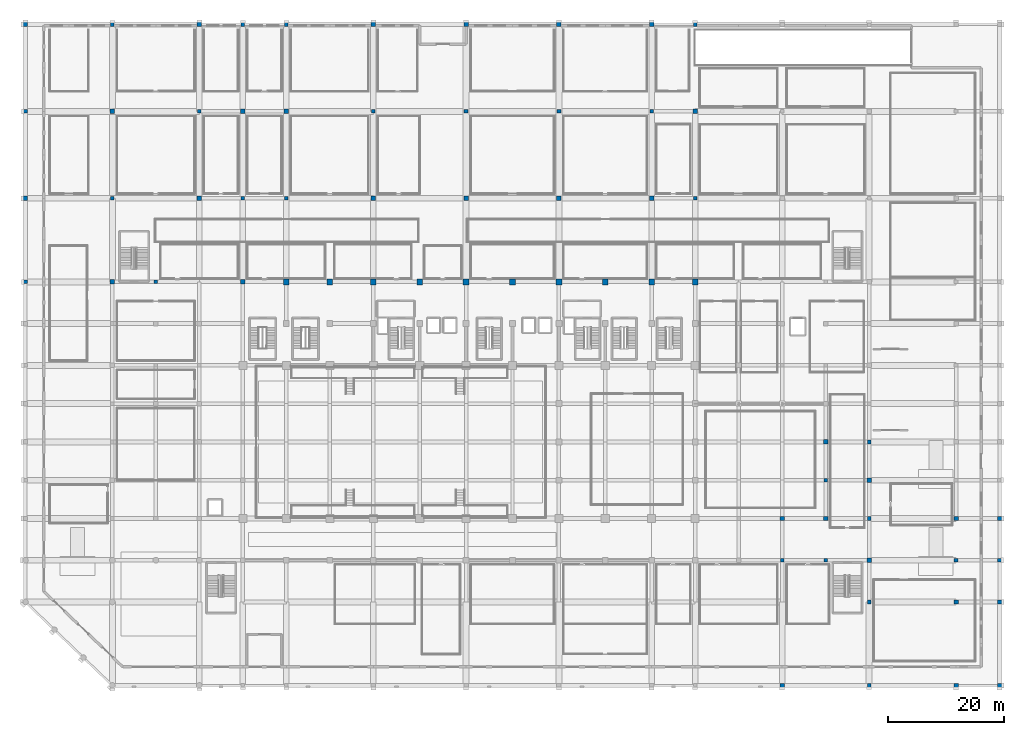
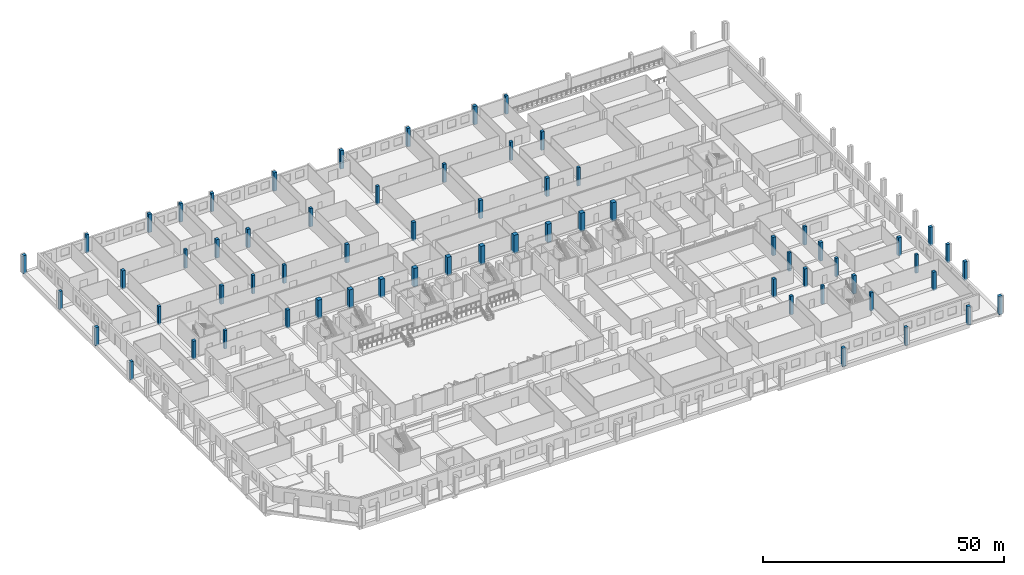
# One storey, part 3 of 33: 65 columns.
"""IFC4 building model written with IfcOpenShell, lengths in metres."""

from ifc_helpers import new_model, si_unit, direction, frame, origin, origin_2d, place, context, subcontext, project, spatial, rectangle, extrude, material, material_profile, profile_set, type_object, element, save


model = new_model("IFC4")

# Units and contexts
model_context = context("Model", 3, precision=1e-05, world=origin(), true_north=direction((0.0, 1.0)))
body_context = subcontext(model_context, "Body", "Model", "MODEL_VIEW")
ifc_project = project(units=[si_unit("LENGTHUNIT", "METRE"), si_unit("AREAUNIT", "SQUARE_METRE"), si_unit("VOLUMEUNIT", "CUBIC_METRE"), si_unit("PLANEANGLEUNIT", "RADIAN"), si_unit("MASSUNIT", "GRAM", prefix="KILO")], contexts=[model_context])

# Site, building, storey
site_placement = place(None, origin())
site = spatial("IfcSite", under=ifc_project, at=site_placement, CompositionType="ELEMENT")
building_placement = place(site_placement, origin())
building = spatial("IfcBuilding", under=site, at=building_placement, Name="Akrevak Sports Hall", CompositionType="ELEMENT")
storey_placement = place(building_placement, origin())
storey = spatial("IfcBuildingStorey", under=building, at=storey_placement, Name="L00", CompositionType="ELEMENT", Elevation=0.0)

# Columns
ifc_material_1 = material(Name="Concrete C50/60", Category="concrete")
ifc_material_profile_1 = material_profile(ifc_material_1, rectangle(XDim=1.0, YDim=1.0, at=origin_2d()), Name="RC 1000x1000", Category="concrete")
ifc_profile_set_1 = profile_set([ifc_material_profile_1], Name="Concrete C50/60")
column_type_1 = type_object("IfcColumnType", Name="STR-COL-RC1000", PredefinedType="COLUMN", material=ifc_profile_set_1)
for number, where, z_axis, x_axis, name in (
    (1, (45.0, 69.60009765625, -0.35009765625), (0.0, 0.0, 1.0), (1.0, 0.0, 0.0), "Column 7/K (L00)"),
    (2, (52.5, 69.60009765625, -0.35009765625), (0.0, 0.0, 1.0), (1.0, 0.0, 0.0), "Column 8/K (L00)"),
    (3, (60.0, 69.60009765625, -0.35009765625), (0.0, 0.0, 1.0), (1.0, 0.0, 0.0), "Column 9/K (L00)"),
    (4, (68.0, 69.60009765625, -0.35009765625), (0.0, 0.0, 1.0), (1.0, 0.0, 0.0), "Column 10/K (L00)"),
    (5, (76.0, 69.60009765625, -0.35009765625), (0.0, 0.0, 1.0), (1.0, 0.0, 0.0), "Column 11/K (L00)"),
    (6, (84.0, 69.60009765625, -0.35009765625), (0.0, 0.0, 1.0), (1.0, 0.0, 0.0), "Column 12/K (L00)"),
    (7, (92.0, 69.60009765625, -0.35009765625), (0.0, 0.0, 1.0), (1.0, 0.0, 0.0), "Column 13/K (L00)"),
    (8, (100.0, 69.60009765625, -0.35009765625), (0.0, 0.0, 1.0), (1.0, 0.0, 0.0), "Column 14/K (L00)"),
    (9, (108.0, 69.60009765625, -0.35009765625), (0.0, 0.0, 1.0), (1.0, 0.0, 0.0), "Column 15/K (L00)"),
    (10, (115.5, 69.60009765625, -0.35009765625), (0.0, 0.0, 1.0), (1.0, 0.0, 0.0), "Column 16/K (L00)"),
):
    element("IfcColumn", number, at=place(storey_placement, frame(where, z_axis=z_axis, x_axis=x_axis)), inside=storey, type_object=column_type_1, Name=name, PredefinedType="COLUMN", context=body_context, shape_type="SweptSolid", body=[
        extrude(rectangle(XDim=1.0, YDim=1.0, at=origin_2d()), origin(), (0.0, 0.0, 1.0), 4.650146484375),
    ])
ifc_material_2 = material(Name="Concrete C40/50", Category="concrete")
ifc_material_profile_2 = material_profile(ifc_material_2, rectangle(XDim=0.64990234375, YDim=0.64990234375, at=origin_2d()), Name="RC 650x650", Category="concrete")
ifc_profile_set_2 = profile_set([ifc_material_profile_2], Name="Concrete C40/50")
column_type_2 = type_object("IfcColumnType", Name="STR-COL-RC650", PredefinedType="COLUMN", material=ifc_profile_set_2)
for number, where, z_axis, x_axis, name in (
    (11, (0.0, 69.60009765625, -0.35009765625), (0.0, 0.0, 1.0), (1.0, 0.0, 0.0), "Column 1/K (L00)"),
    (12, (0.0, 99.0, -0.35009765625), (0.0, 0.0, 1.0), (1.0, 0.0, 0.0), "Column 1/O (L00)"),
    (13, (15.0, 84.0, -0.35009765625), (0.0, 0.0, 1.0), (1.0, 0.0, 0.0), "Column 3/M (L00)"),
    (14, (15.0, 114.0, -0.35009765625), (0.0, 0.0, 1.0), (1.0, 0.0, 0.0), "Column 3/Q (L00)"),
    (15, (22.5, 69.60009765625, -0.35009765625), (0.0, 0.0, 1.0), (1.0, 0.0, 0.0), "Column 4/K (L00)"),
    (16, (30.0, 99.0, -0.35009765625), (0.0, 0.0, 1.0), (1.0, 0.0, 0.0), "Column 5/O (L00)"),
    (17, (37.5, 84.0, -0.35009765625), (0.0, 0.0, 1.0), (1.0, 0.0, 0.0), "Column 6/M (L00)"),
    (18, (37.5, 114.0, -0.35009765625), (0.0, 0.0, 1.0), (1.0, 0.0, 0.0), "Column 6/Q (L00)"),
    (19, (45.0, 84.0, -0.35009765625), (0.0, 0.0, 1.0), (1.0, 0.0, 0.0), "Column 7/M (L00)"),
    (20, (45.0, 114.0, -0.35009765625), (0.0, 0.0, 1.0), (1.0, 0.0, 0.0), "Column 7/Q (L00)"),
    (21, (60.0, 99.0, -0.35009765625), (0.0, 0.0, 1.0), (1.0, 0.0, 0.0), "Column 9/O (L00)"),
    (22, (76.0, 99.0, -0.35009765625), (0.0, 0.0, 1.0), (1.0, 0.0, 0.0), "Column 11/O (L00)"),
    (23, (92.0, 99.0, -0.35009765625), (0.0, 0.0, 1.0), (1.0, 0.0, 0.0), "Column 13/O (L00)"),
    (24, (108.0, 99.0, -0.35009765625), (0.0, 0.0, 1.0), (1.0, 0.0, 0.0), "Column 15/O (L00)"),
    (25, (115.5, 84.0, -0.35009765625), (0.0, 0.0, 1.0), (1.0, 0.0, 0.0), "Column 16/M (L00)"),
    (26, (115.5, 114.0, -0.35009765625), (0.0, 0.0, 1.0), (1.0, 0.0, 0.0), "Column 16/Q (L00)"),
    (27, (130.5, 21.60009765625, -0.35009765625), (0.0, 0.0, 1.0), (1.0, 0.0, 0.0), "Column 18/D (L00)"),
    (28, (138.0, 21.60009765625, -0.35009765625), (0.0, 0.0, 1.0), (1.0, 0.0, 0.0), "Column 19/D (L00)"),
    (29, (138.0, 35.39990234375, -0.35009765625), (0.0, 0.0, 1.0), (1.0, 0.0, 0.0), "Column 19/F (L00)"),
    (30, (145.5, 0.0, -0.35009765625), (0.0, 0.0, 1.0), (1.0, 0.0, 0.0), "Column 20/A (L00)"),
    (31, (145.5, 14.39990234375, -0.35009765625), (0.0, 0.0, 1.0), (1.0, 0.0, 0.0), "Column 20/C (L00)"),
    (32, (145.5, 28.800048828125, -0.35009765625), (0.0, 0.0, 1.0), (1.0, 0.0, 0.0), "Column 20/E (L00)"),
    (33, (145.5, 42.0, -0.35009765625), (0.0, 0.0, 1.0), (1.0, 0.0, 0.0), "Column 20/G (L00)"),
    (34, (160.5, 21.60009765625, -0.35009765625), (0.0, 0.0, 1.0), (1.0, 0.0, 0.0), "Column 22/D (L00)"),
    (35, (168.0, 21.60009765625, -0.35009765625), (0.0, 0.0, 1.0), (1.0, 0.0, 0.0), "Column 23/D (L00)"),
):
    element("IfcColumn", number, at=place(storey_placement, frame(where, z_axis=z_axis, x_axis=x_axis)), inside=storey, type_object=column_type_2, Name=name, PredefinedType="COLUMN", context=body_context, shape_type="SweptSolid", body=[
        extrude(rectangle(XDim=0.64990234375, YDim=0.64990234375, at=origin_2d()), origin(), (0.0, 0.0, 1.0), 4.650146484375),
    ])
ifc_material_profile_3 = material_profile(ifc_material_2, rectangle(XDim=0.75, YDim=0.75, at=origin_2d()), Name="RC 750x750", Category="concrete")
ifc_profile_set_3 = profile_set([ifc_material_profile_3], Name="Concrete C40/50")
column_type_3 = type_object("IfcColumnType", Name="STR-COL-RC750", PredefinedType="COLUMN", material=ifc_profile_set_3)
for number, where, z_axis, x_axis, name in (
    (36, (0.0, 84.0, -0.35009765625), (0.0, 0.0, 1.0), (1.0, 0.0, 0.0), "Column 1/M (L00)"),
    (37, (0.0, 114.0, -0.35009765625), (0.0, 0.0, 1.0), (1.0, 0.0, 0.0), "Column 1/Q (L00)"),
    (38, (15.0, 69.60009765625, -0.35009765625), (0.0, 0.0, 1.0), (1.0, 0.0, 0.0), "Column 3/K (L00)"),
    (39, (15.0, 99.0, -0.35009765625), (0.0, 0.0, 1.0), (1.0, 0.0, 0.0), "Column 3/O (L00)"),
    (40, (30.0, 84.0, -0.35009765625), (0.0, 0.0, 1.0), (1.0, 0.0, 0.0), "Column 5/M (L00)"),
    (41, (30.0, 114.0, -0.35009765625), (0.0, 0.0, 1.0), (1.0, 0.0, 0.0), "Column 5/Q (L00)"),
    (42, (37.5, 69.60009765625, -0.35009765625), (0.0, 0.0, 1.0), (1.0, 0.0, 0.0), "Column 6/K (L00)"),
    (43, (37.5, 99.0, -0.35009765625), (0.0, 0.0, 1.0), (1.0, 0.0, 0.0), "Column 6/O (L00)"),
    (44, (45.0, 99.0, -0.35009765625), (0.0, 0.0, 1.0), (1.0, 0.0, 0.0), "Column 7/O (L00)"),
    (45, (60.0, 84.0, -0.35009765625), (0.0, 0.0, 1.0), (1.0, 0.0, 0.0), "Column 9/M (L00)"),
    (46, (60.0, 114.0, -0.35009765625), (0.0, 0.0, 1.0), (1.0, 0.0, 0.0), "Column 9/Q (L00)"),
    (47, (76.0, 84.0, -0.35009765625), (0.0, 0.0, 1.0), (1.0, 0.0, 0.0), "Column 11/M (L00)"),
    (48, (76.0, 114.0, -0.35009765625), (0.0, 0.0, 1.0), (1.0, 0.0, 0.0), "Column 11/Q (L00)"),
    (49, (92.0, 84.0, -0.35009765625), (0.0, 0.0, 1.0), (1.0, 0.0, 0.0), "Column 13/M (L00)"),
    (50, (92.0, 114.0, -0.35009765625), (0.0, 0.0, 1.0), (1.0, 0.0, 0.0), "Column 13/Q (L00)"),
    (51, (108.0, 84.0, -0.35009765625), (0.0, 0.0, 1.0), (1.0, 0.0, 0.0), "Column 15/M (L00)"),
    (52, (108.0, 114.0, -0.35009765625), (0.0, 0.0, 1.0), (1.0, 0.0, 0.0), "Column 15/Q (L00)"),
    (53, (115.5, 99.0, -0.35009765625), (0.0, 0.0, 1.0), (1.0, 0.0, 0.0), "Column 16/O (L00)"),
    (54, (130.5, 0.0, -0.35009765625), (0.0, 0.0, 1.0), (1.0, 0.0, 0.0), "Column 18/A (L00)"),
    (55, (130.5, 28.800048828125, -0.35009765625), (0.0, 0.0, 1.0), (1.0, 0.0, 0.0), "Column 18/E (L00)"),
    (56, (138.0, 28.800048828125, -0.35009765625), (0.0, 0.0, 1.0), (1.0, 0.0, 0.0), "Column 19/E (L00)"),
    (57, (138.0, 42.0, -0.35009765625), (0.0, 0.0, 1.0), (1.0, 0.0, 0.0), "Column 19/G (L00)"),
    (58, (145.5, 21.60009765625, -0.35009765625), (0.0, 0.0, 1.0), (1.0, 0.0, 0.0), "Column 20/D (L00)"),
    (59, (145.5, 35.39990234375, -0.35009765625), (0.0, 0.0, 1.0), (1.0, 0.0, 0.0), "Column 20/F (L00)"),
    (60, (160.5, 0.0, -0.35009765625), (0.0, 0.0, 1.0), (1.0, 0.0, 0.0), "Column 22/A (L00)"),
    (61, (160.5, 14.39990234375, -0.35009765625), (0.0, 0.0, 1.0), (1.0, 0.0, 0.0), "Column 22/C (L00)"),
    (62, (160.5, 28.800048828125, -0.35009765625), (0.0, 0.0, 1.0), (1.0, 0.0, 0.0), "Column 22/E (L00)"),
    (63, (168.0, 0.0, -0.35009765625), (0.0, 0.0, 1.0), (1.0, 0.0, 0.0), "Column 23/A (L00)"),
    (64, (168.0, 14.39990234375, -0.35009765625), (0.0, 0.0, 1.0), (1.0, 0.0, 0.0), "Column 23/C (L00)"),
    (65, (168.0, 28.800048828125, -0.35009765625), (0.0, 0.0, 1.0), (1.0, 0.0, 0.0), "Column 23/E (L00)"),
):
    element("IfcColumn", number, at=place(storey_placement, frame(where, z_axis=z_axis, x_axis=x_axis)), inside=storey, type_object=column_type_3, Name=name, PredefinedType="COLUMN", context=body_context, shape_type="SweptSolid", body=[
        extrude(rectangle(XDim=0.75, YDim=0.75, at=origin_2d()), origin(), (0.0, 0.0, 1.0), 4.650146484375),
    ])

save(model, "model.ifc")
